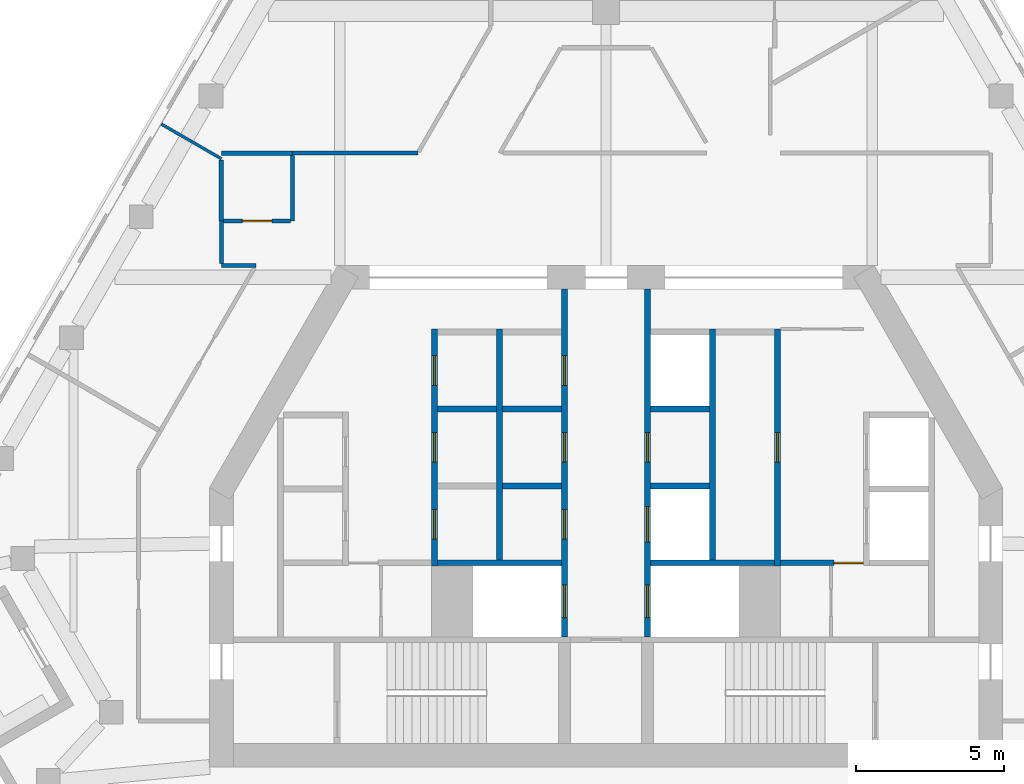
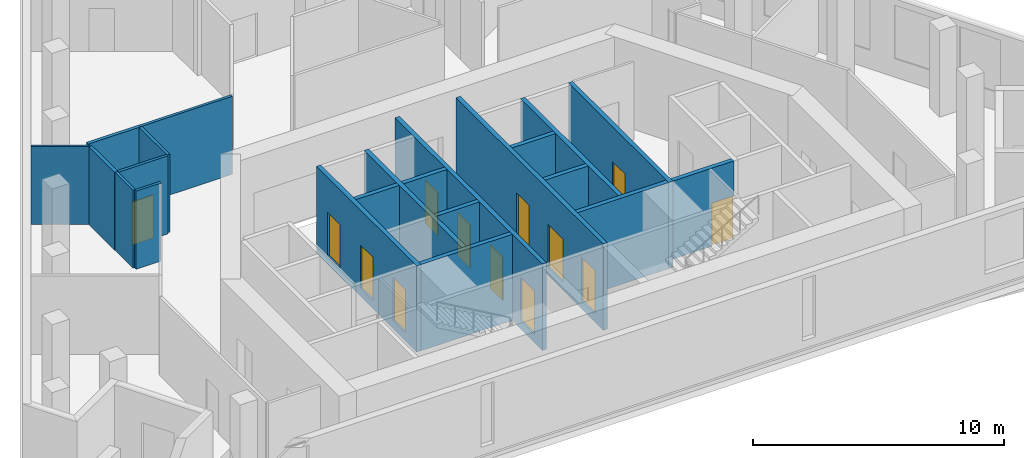
# One storey, part 3 of 8: 22 walls, 13 doors, 13 openings.
"""IFC4 building model written with IfcOpenShell, lengths in metres."""

from ifc_helpers import new_model, si_unit, direction, frame, frame_2d, origin, place, context, subcontext, project, spatial, rectangle, extrude, material, layer, layer_set, type_object, element, fill, save


model = new_model("IFC4")

# Units and contexts
model_context = context("Model", 3, precision=1e-05, world=origin(), true_north=direction((0.0, 1.0)))
body_context = subcontext(model_context, "Body", "Model", "MODEL_VIEW")
ifc_project = project(units=[si_unit("LENGTHUNIT", "METRE"), si_unit("AREAUNIT", "SQUARE_METRE"), si_unit("VOLUMEUNIT", "CUBIC_METRE"), si_unit("PLANEANGLEUNIT", "RADIAN"), si_unit("MASSUNIT", "GRAM", prefix="KILO")], contexts=[model_context])

# Site, building, storey
site_placement = place(None, origin())
site = spatial("IfcSite", under=ifc_project, at=site_placement, CompositionType="ELEMENT")
building_placement = place(site_placement, origin())
building = spatial("IfcBuilding", under=site, at=building_placement, Name="Fogline Exchange Tower", CompositionType="ELEMENT")
storey_placement = place(building_placement, frame((0.0, 0.0, 330.89990234375)))
storey = spatial("IfcBuildingStorey", under=building, at=storey_placement, Name="L75", CompositionType="ELEMENT", Elevation=330.89990234375)

# Walls
ifc_material_1 = material(Name="Concrete C40", Category="concrete")
ifc_layer_1 = layer(ifc_material_1, 0.199951171875)
ifc_layer_set_1 = layer_set([ifc_layer_1], Name="CW20")
wall_type_1 = type_object("IfcWallType", Name="CW20", PredefinedType="SOLIDWALL", material=ifc_layer_set_1)
for number, where, z_axis, x_axis, name in (
    (1, (-5.699951171875, 13.550048828125, 0.0), (0.0, 0.0, 1.0), (1.0, 0.0, 0.0), "Service room wall"),
    (2, (-3.5, 10.949951171875, 0.0), (0.0, 0.0, 1.0), (1.0, 0.0, 0.0), "Service room wall"),
    (3, (-3.5, 13.550048828125, 0.0), (0.0, 0.0, 1.0), (1.0, 0.0, 0.0), "Service room wall"),
):
    element("IfcWall", number, at=place(storey_placement, frame(where, z_axis=z_axis, x_axis=x_axis)), inside=storey, type_object=wall_type_1, Name=name, PredefinedType="SOLIDWALL", context=body_context, shape_type="SweptSolid", body=[
        extrude(rectangle(XDim=2.0, YDim=0.199951171875, at=frame_2d((1.0, 0.0))), origin(), (0.0, 0.0, 1.0), 3.800048828125),
    ])

# Wall, opening, door
wall_1_placement = place(storey_placement, frame((5.89990234375, 8.35009765625, 0.0), z_axis=(0.0, 0.0, 1.0), x_axis=(1.0, 0.0, 0.0)))
wall_1 = element("IfcWall", 4, at=wall_1_placement, inside=storey, type_object=wall_type_1, Name="WC wall", PredefinedType="SOLIDWALL", context=body_context, shape_type="SweptSolid", body=[
    extrude(rectangle(XDim=2.800048828125, YDim=0.199951171875, at=frame_2d((1.39990234375, 0.0))), origin(), (0.0, 0.0, 1.0), 3.800048828125),
])
opening_1_placement = place(wall_1_placement, frame((1.800048828125, 0.0, 0.0)))
opening_1 = element("IfcOpeningElement", 5, at=opening_1_placement, cuts=wall_1, Name="Opening T23-C018", PredefinedType="OPENING", context=body_context, shape_type="SweptSolid", body=[
    extrude(rectangle(XDim=1.0, YDim=2.10009765625, at=frame_2d((0.5, 1.050048828125))), frame((0.0, 0.10986328125, 0.0), z_axis=(0.0, -1.0, 0.0), x_axis=(1.0, 0.0, 0.0)), (0.0, 0.0, 1.0), 0.219970703125),
])
ifc_material_2 = material(Name="Steel and timber fire door", Category="steel")
door_type_1 = type_object("IfcDoorType", Name="D-WC1", OperationType="SINGLE_SWING_LEFT", PredefinedType="DOOR", material=ifc_material_2)
door_1_placement = place(opening_1_placement, frame((1.0, 0.0, 0.0), z_axis=(0.0, 0.0, 1.0), x_axis=(-1.0, 0.0, 0.0)))
door_1 = element("IfcDoor", 6, at=door_1_placement, inside=storey, type_object=door_type_1, Name="Door to Women's WC", OperationType="SINGLE_SWING_LEFT", OverallHeight=2.10009765625, OverallWidth=1.0, PredefinedType="DOOR", context=body_context, shape_type="SweptSolid", body=[
    extrude(rectangle(XDim=1.0, YDim=2.10009765625, at=frame_2d((0.5, 1.050048828125))), frame((0.0, 0.02490234375, 0.0), z_axis=(0.0, -1.0, 0.0), x_axis=(1.0, 0.0, 0.0)), (0.0, 0.0, 1.0), 0.050048828125),
])
fill(opening_1, door_1)

# Wall, openings, doors
ifc_layer_2 = layer(ifc_material_1, 0.199951171875)
ifc_layer_set_2 = layer_set([ifc_layer_2], Name="CW20S")
wall_type_2 = type_object("IfcWallType", Name="CW20S", PredefinedType="SOLIDWALL", material=ifc_layer_set_2)
wall_2_placement = place(storey_placement, frame((-5.800048828125, 8.25, -0.39990234375), z_axis=(0.0, 0.0, 1.0), x_axis=(0.0, 1.0, 0.0)))
wall_2 = element("IfcWall", 7, at=wall_2_placement, inside=storey, type_object=wall_type_2, Name="Lift shaft wall", PredefinedType="SOLIDWALL", context=body_context, shape_type="SweptSolid", body=[
    extrude(rectangle(XDim=8.0, YDim=0.199951171875, at=frame_2d((4.0, 0.0))), origin(), (0.0, 0.0, 1.0), 4.199951171875),
])
opening_2_placement = place(wall_2_placement, frame((0.89990234375, 0.0, 0.39990234375)))
opening_2 = element("IfcOpeningElement", 8, at=opening_2_placement, cuts=wall_2, Name="Opening T23-C003", PredefinedType="OPENING", context=body_context, shape_type="SweptSolid", body=[
    extrude(rectangle(XDim=1.0, YDim=2.10009765625, at=frame_2d((0.5, 1.050048828125))), frame((0.0, 0.10986328125, 0.0), z_axis=(0.0, -1.0, 0.0), x_axis=(1.0, 0.0, 0.0)), (0.0, 0.0, 1.0), 0.219970703125),
])
opening_3_placement = place(wall_2_placement, frame((3.5, 0.0, 0.39990234375)))
opening_3 = element("IfcOpeningElement", 9, at=opening_3_placement, cuts=wall_2, Name="Opening T23-C004", PredefinedType="OPENING", context=body_context, shape_type="SweptSolid", body=[
    extrude(rectangle(XDim=1.0, YDim=2.10009765625, at=frame_2d((0.5, 1.050048828125))), frame((0.0, 0.10986328125, 0.0), z_axis=(0.0, -1.0, 0.0), x_axis=(1.0, 0.0, 0.0)), (0.0, 0.0, 1.0), 0.219970703125),
])
opening_4_placement = place(wall_2_placement, frame((6.10009765625, 0.0, 0.39990234375)))
opening_4 = element("IfcOpeningElement", 10, at=opening_4_placement, cuts=wall_2, Name="Opening T23-C005", PredefinedType="OPENING", context=body_context, shape_type="SweptSolid", body=[
    extrude(rectangle(XDim=1.0, YDim=2.10009765625, at=frame_2d((0.5, 1.050048828125))), frame((0.0, 0.10986328125, 0.0), z_axis=(0.0, -1.0, 0.0), x_axis=(1.0, 0.0, 0.0)), (0.0, 0.0, 1.0), 0.219970703125),
])
door_type_2 = type_object("IfcDoorType", Name="D-RM1", OperationType="SINGLE_SWING_LEFT", PredefinedType="DOOR", material=ifc_material_2)
door_2_placement = place(opening_2_placement, frame((1.0, 0.0, 0.0), z_axis=(0.0, 0.0, 1.0), x_axis=(-1.0, 0.0, 0.0)))
door_2 = element("IfcDoor", 11, at=door_2_placement, inside=storey, type_object=door_type_2, Name="Door to Cable Store", OperationType="SINGLE_SWING_LEFT", OverallHeight=2.10009765625, OverallWidth=1.0, PredefinedType="DOOR", context=body_context, shape_type="SweptSolid", body=[
    extrude(rectangle(XDim=1.0, YDim=2.10009765625, at=frame_2d((0.5, 1.050048828125))), frame((0.0, 0.02490234375, 0.0), z_axis=(0.0, -1.0, 0.0), x_axis=(1.0, 0.0, 0.0)), (0.0, 0.0, 1.0), 0.050048828125),
])
fill(opening_2, door_2)
door_3_placement = place(opening_3_placement, frame((1.0, 0.0, 0.0), z_axis=(0.0, 0.0, 1.0), x_axis=(-1.0, 0.0, 0.0)))
door_3 = element("IfcDoor", 12, at=door_3_placement, inside=storey, type_object=door_type_2, Name="Door to Server Room", OperationType="SINGLE_SWING_RIGHT", OverallHeight=2.10009765625, OverallWidth=1.0, PredefinedType="DOOR", context=body_context, shape_type="SweptSolid", body=[
    extrude(rectangle(XDim=1.0, YDim=2.10009765625, at=frame_2d((0.5, 1.050048828125))), frame((0.0, 0.02490234375, 0.0), z_axis=(0.0, -1.0, 0.0), x_axis=(1.0, 0.0, 0.0)), (0.0, 0.0, 1.0), 0.050048828125),
])
fill(opening_3, door_3)
door_4_placement = place(opening_4_placement, frame((1.0, 0.0, 0.0), z_axis=(0.0, 0.0, 1.0), x_axis=(-1.0, 0.0, 0.0)))
door_4 = element("IfcDoor", 13, at=door_4_placement, inside=storey, type_object=door_type_2, Name="Door to Archive Store", OperationType="SINGLE_SWING_RIGHT", OverallHeight=2.10009765625, OverallWidth=1.0, PredefinedType="DOOR", context=body_context, shape_type="SweptSolid", body=[
    extrude(rectangle(XDim=1.0, YDim=2.10009765625, at=frame_2d((0.5, 1.050048828125))), frame((0.0, 0.02490234375, 0.0), z_axis=(0.0, -1.0, 0.0), x_axis=(1.0, 0.0, 0.0)), (0.0, 0.0, 1.0), 0.050048828125),
])
fill(opening_4, door_4)

# Wall, opening, door
wall_3_placement = place(storey_placement, frame((5.800048828125, 8.25, -0.39990234375), z_axis=(0.0, 0.0, 1.0), x_axis=(0.0, 1.0, 0.0)))
wall_3 = element("IfcWall", 14, at=wall_3_placement, inside=storey, type_object=wall_type_2, Name="Lift shaft wall", PredefinedType="SOLIDWALL", context=body_context, shape_type="SweptSolid", body=[
    extrude(rectangle(XDim=8.0, YDim=0.199951171875, at=frame_2d((4.0, 0.0))), origin(), (0.0, 0.0, 1.0), 4.199951171875),
])
opening_5_placement = place(wall_3_placement, frame((3.5, 0.0, 0.39990234375)))
opening_5 = element("IfcOpeningElement", 15, at=opening_5_placement, cuts=wall_3, Name="Opening T23-C009", PredefinedType="OPENING", context=body_context, shape_type="SweptSolid", body=[
    extrude(rectangle(XDim=1.0, YDim=2.10009765625, at=frame_2d((0.5, 1.050048828125))), frame((0.0, 0.10986328125, 0.0), z_axis=(0.0, -1.0, 0.0), x_axis=(1.0, 0.0, 0.0)), (0.0, 0.0, 1.0), 0.219970703125),
])
door_5_placement = place(opening_5_placement, origin())
door_5 = element("IfcDoor", 16, at=door_5_placement, inside=storey, type_object=door_type_2, Name="Door to Pantry", OperationType="SINGLE_SWING_LEFT", OverallHeight=2.10009765625, OverallWidth=1.0, PredefinedType="DOOR", context=body_context, shape_type="SweptSolid", body=[
    extrude(rectangle(XDim=1.0, YDim=2.10009765625, at=frame_2d((0.5, 1.050048828125))), frame((0.0, 0.02490234375, 0.0), z_axis=(0.0, -1.0, 0.0), x_axis=(1.0, 0.0, 0.0)), (0.0, 0.0, 1.0), 0.050048828125),
])
fill(opening_5, door_5)

# Walls
for number, where, z_axis, x_axis, name in (
    (17, (-3.60009765625, 8.449951171875, -0.39990234375), (0.0, 0.0, 1.0), (0.0, 1.0, 0.0), "Lift shaft wall"),
    (18, (3.60009765625, 8.449951171875, -0.39990234375), (0.0, 0.0, 1.0), (0.0, 1.0, 0.0), "Lift shaft wall"),
):
    element("IfcWall", number, at=place(storey_placement, frame(where, z_axis=z_axis, x_axis=x_axis)), inside=storey, type_object=wall_type_2, Name=name, PredefinedType="SOLIDWALL", context=body_context, shape_type="SweptSolid", body=[
        extrude(rectangle(XDim=7.800048828125, YDim=0.199951171875, at=frame_2d((3.89990234375, 0.0))), origin(), (0.0, 0.0, 1.0), 4.199951171875),
    ])

# Wall, openings, doors
wall_4_placement = place(storey_placement, frame((-1.39990234375, 5.85009765625, -0.39990234375), z_axis=(0.0, 0.0, 1.0), x_axis=(0.0, 1.0, 0.0)))
wall_4 = element("IfcWall", 19, at=wall_4_placement, inside=storey, type_object=wall_type_2, Name="Lift lobby wall", PredefinedType="SOLIDWALL", context=body_context, shape_type="SweptSolid", body=[
    extrude(rectangle(XDim=11.75, YDim=0.199951171875, at=frame_2d((5.875, 0.0))), origin(), (0.0, 0.0, 1.0), 4.199951171875),
])
opening_6_placement = place(wall_4_placement, frame((0.64990234375, 0.0, 0.39990234375)))
opening_6 = element("IfcOpeningElement", 20, at=opening_6_placement, cuts=wall_4, Name="Opening T23-LD01", PredefinedType="OPENING", context=body_context, shape_type="SweptSolid", body=[
    extrude(rectangle(XDim=1.10009765625, YDim=2.10009765625, at=frame_2d((0.550048828125, 1.050048828125))), frame((0.0, 0.10986328125, 0.0), z_axis=(0.0, -1.0, 0.0), x_axis=(1.0, 0.0, 0.0)), (0.0, 0.0, 1.0), 0.219970703125),
])
opening_7_placement = place(wall_4_placement, frame((3.300048828125, 0.0, 0.39990234375)))
opening_7 = element("IfcOpeningElement", 21, at=opening_7_placement, cuts=wall_4, Name="Opening T23-C006", PredefinedType="OPENING", context=body_context, shape_type="SweptSolid", body=[
    extrude(rectangle(XDim=1.0, YDim=2.10009765625, at=frame_2d((0.5, 1.050048828125))), frame((0.0, 0.10986328125, 0.0), z_axis=(0.0, -1.0, 0.0), x_axis=(1.0, 0.0, 0.0)), (0.0, 0.0, 1.0), 0.219970703125),
])
opening_8_placement = place(wall_4_placement, frame((5.89990234375, 0.0, 0.39990234375)))
opening_8 = element("IfcOpeningElement", 22, at=opening_8_placement, cuts=wall_4, Name="Opening T23-C007", PredefinedType="OPENING", context=body_context, shape_type="SweptSolid", body=[
    extrude(rectangle(XDim=1.0, YDim=2.10009765625, at=frame_2d((0.5, 1.050048828125))), frame((0.0, 0.10986328125, 0.0), z_axis=(0.0, -1.0, 0.0), x_axis=(1.0, 0.0, 0.0)), (0.0, 0.0, 1.0), 0.219970703125),
])
opening_9_placement = place(wall_4_placement, frame((8.5, 0.0, 0.39990234375)))
opening_9 = element("IfcOpeningElement", 23, at=opening_9_placement, cuts=wall_4, Name="Opening T23-C008", PredefinedType="OPENING", context=body_context, shape_type="SweptSolid", body=[
    extrude(rectangle(XDim=1.0, YDim=2.10009765625, at=frame_2d((0.5, 1.050048828125))), frame((0.0, 0.10986328125, 0.0), z_axis=(0.0, -1.0, 0.0), x_axis=(1.0, 0.0, 0.0)), (0.0, 0.0, 1.0), 0.219970703125),
])
door_6_placement = place(opening_7_placement, origin())
door_6 = element("IfcDoor", 24, at=door_6_placement, inside=storey, type_object=door_type_2, Name="Door to Library Store", OperationType="SINGLE_SWING_LEFT", OverallHeight=2.10009765625, OverallWidth=1.0, PredefinedType="DOOR", context=body_context, shape_type="SweptSolid", body=[
    extrude(rectangle(XDim=1.0, YDim=2.10009765625, at=frame_2d((0.5, 1.050048828125))), frame((0.0, 0.02490234375, 0.0), z_axis=(0.0, -1.0, 0.0), x_axis=(1.0, 0.0, 0.0)), (0.0, 0.0, 1.0), 0.050048828125),
])
fill(opening_7, door_6)
door_7_placement = place(opening_8_placement, origin())
door_7 = element("IfcDoor", 25, at=door_7_placement, inside=storey, type_object=door_type_2, Name="Door to Stationery Store", OperationType="SINGLE_SWING_LEFT", OverallHeight=2.10009765625, OverallWidth=1.0, PredefinedType="DOOR", context=body_context, shape_type="SweptSolid", body=[
    extrude(rectangle(XDim=1.0, YDim=2.10009765625, at=frame_2d((0.5, 1.050048828125))), frame((0.0, 0.02490234375, 0.0), z_axis=(0.0, -1.0, 0.0), x_axis=(1.0, 0.0, 0.0)), (0.0, 0.0, 1.0), 0.050048828125),
])
fill(opening_8, door_7)
door_8_placement = place(opening_9_placement, origin())
door_8 = element("IfcDoor", 26, at=door_8_placement, inside=storey, type_object=door_type_2, Name="Door to Records Store", OperationType="SINGLE_SWING_LEFT", OverallHeight=2.10009765625, OverallWidth=1.0, PredefinedType="DOOR", context=body_context, shape_type="SweptSolid", body=[
    extrude(rectangle(XDim=1.0, YDim=2.10009765625, at=frame_2d((0.5, 1.050048828125))), frame((0.0, 0.02490234375, 0.0), z_axis=(0.0, -1.0, 0.0), x_axis=(1.0, 0.0, 0.0)), (0.0, 0.0, 1.0), 0.050048828125),
])
fill(opening_9, door_8)
door_type_3 = type_object("IfcDoorType", Name="LD2", OperationType="SLIDING_TO_RIGHT", PredefinedType="DOOR", material=ifc_material_2)
door_9_placement = place(opening_6_placement, origin())
door_9 = element("IfcDoor", 27, at=door_9_placement, inside=storey, type_object=door_type_3, Name="Landing door FF1", OperationType="SLIDING_TO_RIGHT", OverallHeight=2.10009765625, OverallWidth=1.10009765625, PredefinedType="DOOR", context=body_context, shape_type="SweptSolid", body=[
    extrude(rectangle(XDim=1.10009765625, YDim=2.10009765625, at=frame_2d((0.550048828125, 1.050048828125))), frame((0.0, 0.02490234375, 0.0), z_axis=(0.0, -1.0, 0.0), x_axis=(1.0, 0.0, 0.0)), (0.0, 0.0, 1.0), 0.050048828125),
])
fill(opening_6, door_9)

wall_5_placement = place(storey_placement, frame((1.39990234375, 5.85009765625, -0.39990234375), z_axis=(0.0, 0.0, 1.0), x_axis=(0.0, 1.0, 0.0)))
wall_5 = element("IfcWall", 28, at=wall_5_placement, inside=storey, type_object=wall_type_2, Name="Lift lobby wall", PredefinedType="SOLIDWALL", context=body_context, shape_type="SweptSolid", body=[
    extrude(rectangle(XDim=11.75, YDim=0.199951171875, at=frame_2d((5.875, 0.0))), origin(), (0.0, 0.0, 1.0), 4.199951171875),
])
opening_10_placement = place(wall_5_placement, frame((3.199951171875, 0.0, 0.39990234375)))
opening_10 = element("IfcOpeningElement", 29, at=opening_10_placement, cuts=wall_5, Name="Opening T23-LD04", PredefinedType="OPENING", context=body_context, shape_type="SweptSolid", body=[
    extrude(rectangle(XDim=1.199951171875, YDim=2.10009765625, at=frame_2d((0.60009765625, 1.050048828125))), frame((0.0, 0.10986328125, 0.0), z_axis=(0.0, -1.0, 0.0), x_axis=(1.0, 0.0, 0.0)), (0.0, 0.0, 1.0), 0.219970703125),
])
opening_11_placement = place(wall_5_placement, frame((0.64990234375, 0.0, 0.39990234375)))
opening_11 = element("IfcOpeningElement", 30, at=opening_11_placement, cuts=wall_5, Name="Opening T23-LD05", PredefinedType="OPENING", context=body_context, shape_type="SweptSolid", body=[
    extrude(rectangle(XDim=1.10009765625, YDim=2.10009765625, at=frame_2d((0.550048828125, 1.050048828125))), frame((0.0, 0.10986328125, 0.0), z_axis=(0.0, -1.0, 0.0), x_axis=(1.0, 0.0, 0.0)), (0.0, 0.0, 1.0), 0.219970703125),
])
opening_12_placement = place(wall_5_placement, frame((5.89990234375, 0.0, 0.39990234375)))
opening_12 = element("IfcOpeningElement", 31, at=opening_12_placement, cuts=wall_5, Name="Opening T23-C010", PredefinedType="OPENING", context=body_context, shape_type="SweptSolid", body=[
    extrude(rectangle(XDim=1.0, YDim=2.10009765625, at=frame_2d((0.5, 1.050048828125))), frame((0.0, 0.10986328125, 0.0), z_axis=(0.0, -1.0, 0.0), x_axis=(1.0, 0.0, 0.0)), (0.0, 0.0, 1.0), 0.219970703125),
])
door_10_placement = place(opening_12_placement, frame((1.0, 0.0, 0.0), z_axis=(0.0, 0.0, 1.0), x_axis=(-1.0, 0.0, 0.0)))
door_10 = element("IfcDoor", 32, at=door_10_placement, inside=storey, type_object=door_type_2, Name="Door to Archive Store", OperationType="SINGLE_SWING_RIGHT", OverallHeight=2.10009765625, OverallWidth=1.0, PredefinedType="DOOR", context=body_context, shape_type="SweptSolid", body=[
    extrude(rectangle(XDim=1.0, YDim=2.10009765625, at=frame_2d((0.5, 1.050048828125))), frame((0.0, 0.02490234375, 0.0), z_axis=(0.0, -1.0, 0.0), x_axis=(1.0, 0.0, 0.0)), (0.0, 0.0, 1.0), 0.050048828125),
])
fill(opening_12, door_10)
door_type_4 = type_object("IfcDoorType", Name="LD1", OperationType="SLIDING_TO_LEFT", PredefinedType="DOOR", material=ifc_material_2)
door_11_placement = place(opening_10_placement, origin())
door_11 = element("IfcDoor", 33, at=door_11_placement, inside=storey, type_object=door_type_4, Name="Landing door HR3", OperationType="SLIDING_TO_LEFT", OverallHeight=2.10009765625, OverallWidth=1.199951171875, PredefinedType="DOOR", context=body_context, shape_type="SweptSolid", body=[
    extrude(rectangle(XDim=1.199951171875, YDim=2.10009765625, at=frame_2d((0.60009765625, 1.050048828125))), frame((0.0, 0.02490234375, 0.0), z_axis=(0.0, -1.0, 0.0), x_axis=(1.0, 0.0, 0.0)), (0.0, 0.0, 1.0), 0.050048828125),
])
fill(opening_10, door_11)
door_12_placement = place(opening_11_placement, origin())
door_12 = element("IfcDoor", 34, at=door_12_placement, inside=storey, type_object=door_type_3, Name="Landing door FF2", OperationType="SLIDING_TO_RIGHT", OverallHeight=2.10009765625, OverallWidth=1.10009765625, PredefinedType="DOOR", context=body_context, shape_type="SweptSolid", body=[
    extrude(rectangle(XDim=1.10009765625, YDim=2.10009765625, at=frame_2d((0.550048828125, 1.050048828125))), frame((0.0, 0.02490234375, 0.0), z_axis=(0.0, -1.0, 0.0), x_axis=(1.0, 0.0, 0.0)), (0.0, 0.0, 1.0), 0.050048828125),
])
fill(opening_11, door_12)

# Walls
for number, where, z_axis, x_axis, name in (
    (35, (-5.699951171875, 8.35009765625, -0.39990234375), (0.0, 0.0, 1.0), (1.0, 0.0, 0.0), "Lift shaft wall"),
    (36, (1.5, 8.35009765625, -0.39990234375), (0.0, 0.0, 1.0), (1.0, 0.0, 0.0), "Lift shaft wall"),
):
    element("IfcWall", number, at=place(storey_placement, frame(where, z_axis=z_axis, x_axis=x_axis)), inside=storey, type_object=wall_type_2, Name=name, PredefinedType="SOLIDWALL", context=body_context, shape_type="SweptSolid", body=[
        extrude(rectangle(XDim=4.199951171875, YDim=0.199951171875, at=frame_2d((2.10009765625, 0.0))), origin(), (0.0, 0.0, 1.0), 4.199951171875),
    ])
for number, where, z_axis, x_axis, name in (
    (37, (1.5, 10.949951171875, -0.39990234375), (0.0, 0.0, 1.0), (1.0, 0.0, 0.0), "Lift shaft wall"),
    (38, (1.5, 13.550048828125, -0.39990234375), (0.0, 0.0, 1.0), (1.0, 0.0, 0.0), "Lift shaft wall"),
):
    element("IfcWall", number, at=place(storey_placement, frame(where, z_axis=z_axis, x_axis=x_axis)), inside=storey, type_object=wall_type_2, Name=name, PredefinedType="SOLIDWALL", context=body_context, shape_type="SweptSolid", body=[
        extrude(rectangle(XDim=2.0, YDim=0.199951171875, at=frame_2d((1.0, 0.0))), origin(), (0.0, 0.0, 1.0), 4.199951171875),
    ])
ifc_material_3 = material(Name="Plasterboard partition, 2 layers each side on steel studs", Category="steel")
ifc_layer_3 = layer(ifc_material_3, 0.10009765625)
ifc_layer_set_3 = layer_set([ifc_layer_3], Name="PW1")
wall_type_3 = type_object("IfcWallType", Name="PW1", PredefinedType="PARTITIONING", material=ifc_layer_set_3)
wall_6_placement = place(storey_placement, frame((-13.0, 22.005615234375, 0.0), z_axis=(0.0, 0.0, 1.0), x_axis=(-0.866000222833, 0.500043612151, 0.0)))
element("IfcWall", 39, at=wall_6_placement, inside=storey, type_object=wall_type_3, Name="wall-L75-W034", PredefinedType="PARTITIONING", context=body_context, shape_type="SweptSolid", body=[
    extrude(rectangle(XDim=2.346923828125, YDim=0.10009765625, at=frame_2d((1.17333984375, 0.0))), origin(), (0.0, 0.0, 1.0), 3.800048828125),
])
ifc_material_4 = material(Name="Plasterboard corridor partition with mineral wool, 2 layers each side")
ifc_layer_4 = layer(ifc_material_4, 0.125)
ifc_layer_set_4 = layer_set([ifc_layer_4], Name="PW2")
wall_type_4 = type_object("IfcWallType", Name="PW2", PredefinedType="PARTITIONING", material=ifc_layer_set_4)
wall_7_placement = place(storey_placement, frame((-10.60009765625, 22.199951171875, 0.0), z_axis=(0.0, 0.0, 1.0), x_axis=(1.0, 0.0, 0.0)))
element("IfcWall", 40, at=wall_7_placement, inside=storey, type_object=wall_type_4, Name="wall-L75-W009", PredefinedType="PARTITIONING", context=body_context, shape_type="SweptSolid", body=[
    extrude(rectangle(XDim=4.239990234375, YDim=0.125, at=frame_2d((2.1201171875, 0.0))), origin(), (0.0, 0.0, 1.0), 3.800048828125),
])

# Wall, opening, door
wall_8_placement = place(storey_placement, frame((-12.925048828125, 19.89990234375, 0.0), z_axis=(0.0, 0.0, 1.0), x_axis=(1.0, 0.0, 0.0)))
wall_8 = element("IfcWall", 41, at=wall_8_placement, inside=storey, type_object=wall_type_4, Name="wall-L75-W010", PredefinedType="PARTITIONING", context=body_context, shape_type="SweptSolid", body=[
    extrude(rectangle(XDim=2.262451171875, YDim=0.125, at=frame_2d((1.13134765625, 0.0))), origin(), (0.0, 0.0, 1.0), 3.800048828125),
])
opening_13_placement = place(wall_8_placement, frame((0.63134765625, 0.0, 0.0)))
opening_13 = element("IfcOpeningElement", 42, at=opening_13_placement, cuts=wall_8, Name="Opening T23-D003", PredefinedType="OPENING", context=body_context, shape_type="SweptSolid", body=[
    extrude(rectangle(XDim=1.0, YDim=2.10009765625, at=frame_2d((0.5, 1.050048828125))), frame((0.0, 0.072509765625, 0.0), z_axis=(0.0, -1.0, 0.0), x_axis=(1.0, 0.0, 0.0)), (0.0, 0.0, 1.0), 0.14501953125),
])
ifc_material_5 = material(Name="Fire-rated timber door leaf with steel frame", Category="steel")
door_type_5 = type_object("IfcDoorType", Name="D3", OperationType="SINGLE_SWING_LEFT", PredefinedType="DOOR", material=ifc_material_5)
door_13_placement = place(opening_13_placement, origin())
door_13 = element("IfcDoor", 43, at=door_13_placement, inside=storey, type_object=door_type_5, Name="door-L75-D003", OperationType="SINGLE_SWING_LEFT", OverallHeight=2.10009765625, OverallWidth=1.0, PredefinedType="DOOR", context=body_context, shape_type="SweptSolid", body=[
    extrude(rectangle(XDim=1.0, YDim=2.10009765625, at=frame_2d((0.5, 1.050048828125))), frame((0.0, 0.02490234375, 0.0), z_axis=(0.0, -1.0, 0.0), x_axis=(1.0, 0.0, 0.0)), (0.0, 0.0, 1.0), 0.050048828125),
])
fill(opening_13, door_13)

# Walls
wall_9_placement = place(storey_placement, frame((-10.60009765625, 19.89990234375, 0.0), z_axis=(0.0, 0.0, 1.0), x_axis=(0.0, 1.0, 0.0)))
element("IfcWall", 44, at=wall_9_placement, inside=storey, type_object=wall_type_4, Name="wall-L75-W011", PredefinedType="PARTITIONING", context=body_context, shape_type="SweptSolid", body=[
    extrude(rectangle(XDim=2.224609375, YDim=0.125, at=frame_2d((1.1123046875, 0.0))), origin(), (0.0, 0.0, 1.0), 3.800048828125),
])
wall_10_placement = place(storey_placement, frame((-11.83642578125, 18.39990234375, 0.0), z_axis=(0.0, 0.0, 1.0), x_axis=(-1.0, 0.0, 0.0)))
element("IfcWall", 45, at=wall_10_placement, inside=storey, type_object=wall_type_4, Name="wall-L75-W012", PredefinedType="PARTITIONING", context=body_context, shape_type="SweptSolid", body=[
    extrude(rectangle(XDim=1.16357421875, YDim=0.125, at=frame_2d((0.581787109375, 0.0))), origin(), (0.0, 0.0, 1.0), 3.800048828125),
])
wall_11_placement = place(storey_placement, frame((-13.0, 18.46240234375, 0.0), z_axis=(0.0, 0.0, 1.0), x_axis=(0.0, 1.0, 0.0)))
element("IfcWall", 46, at=wall_11_placement, inside=storey, type_object=wall_type_4, Name="wall-L75-W013", PredefinedType="PARTITIONING", context=body_context, shape_type="SweptSolid", body=[
    extrude(rectangle(XDim=1.4375, YDim=0.125, at=frame_2d((0.71875, 0.0))), origin(), (0.0, 0.0, 1.0), 3.800048828125),
])
ifc_material_6 = material(Name="Plasterboard demising partition with mineral wool and acoustic board")
ifc_layer_5 = layer(ifc_material_6, 0.14990234375)
ifc_layer_set_5 = layer_set([ifc_layer_5], Name="PW3")
wall_type_5 = type_object("IfcWallType", Name="PW3", PredefinedType="PARTITIONING", material=ifc_layer_set_5)
wall_12_placement = place(storey_placement, frame((-10.60009765625, 22.199951171875, 0.0), z_axis=(0.0, 0.0, 1.0), x_axis=(-1.0, 0.0, 0.0)))
element("IfcWall", 47, at=wall_12_placement, inside=storey, type_object=wall_type_5, Name="wall-L75-W033", PredefinedType="PARTITIONING", context=body_context, shape_type="SweptSolid", body=[
    extrude(rectangle(XDim=2.39990234375, YDim=0.14990234375, at=frame_2d((1.199951171875, 0.0))), origin(), (0.0, 0.0, 1.0), 3.800048828125),
])
wall_13_placement = place(storey_placement, frame((-13.0, 19.89990234375, 0.0), z_axis=(0.0, 0.0, 1.0), x_axis=(0.0, 1.0, 0.0)))
element("IfcWall", 48, at=wall_13_placement, inside=storey, type_object=wall_type_5, Name="wall-L75-W035", PredefinedType="PARTITIONING", context=body_context, shape_type="SweptSolid", body=[
    extrude(rectangle(XDim=2.062744140625, YDim=0.14990234375, at=frame_2d((1.03125, 0.0))), origin(), (0.0, 0.0, 1.0), 3.800048828125),
])

save(model, "model.ifc")
